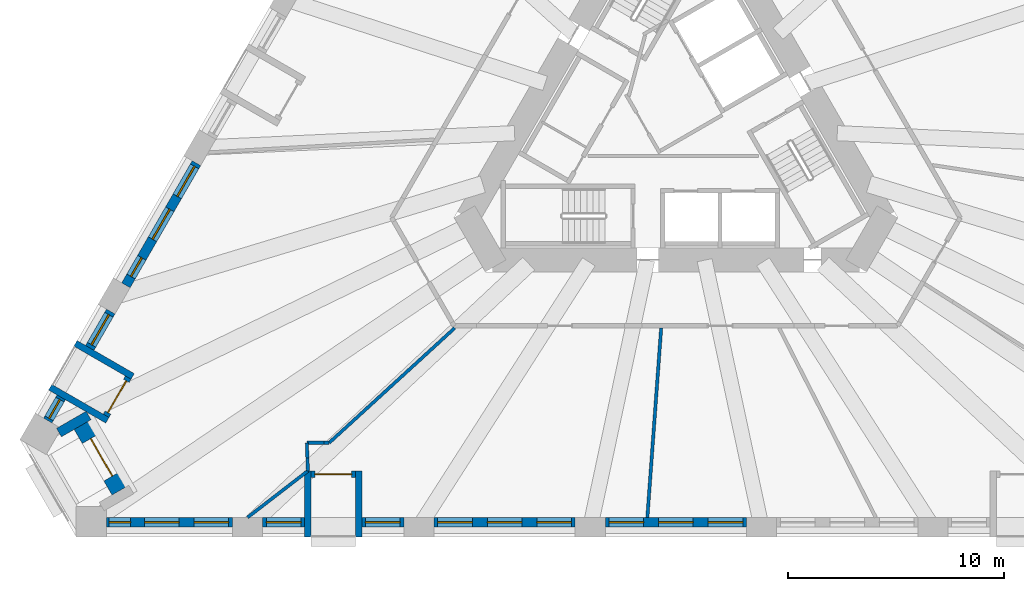
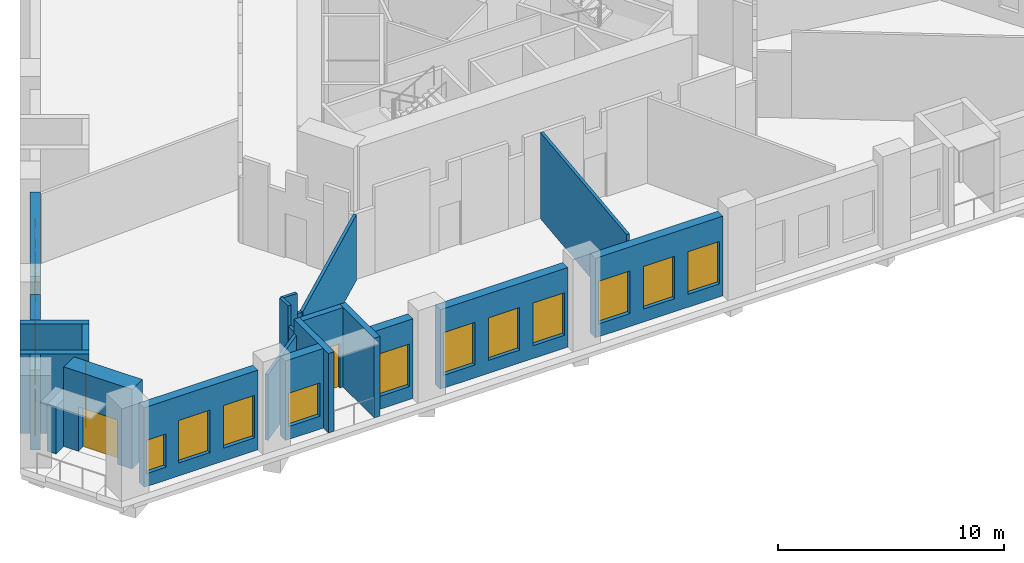
# One storey, part 2 of 12: 23 walls, 16 windows, 3 doors, 19 openings.
"""IFC4 building model written with IfcOpenShell, lengths in metres."""

from ifc_helpers import new_model, si_unit, direction, frame, frame_2d, origin, place, context, subcontext, project, spatial, rectangle, extrude, material, layer, layer_set, type_object, element, fill, save


model = new_model("IFC4")

# Units and contexts
model_context = context("Model", 3, precision=1e-05, world=origin(), true_north=direction((0.0, 1.0)))
body_context = subcontext(model_context, "Body", "Model", "MODEL_VIEW")
ifc_project = project(units=[si_unit("LENGTHUNIT", "METRE"), si_unit("AREAUNIT", "SQUARE_METRE"), si_unit("VOLUMEUNIT", "CUBIC_METRE"), si_unit("PLANEANGLEUNIT", "RADIAN"), si_unit("MASSUNIT", "GRAM", prefix="KILO")], contexts=[model_context])

# Site, building, storey
site_placement = place(None, origin())
site = spatial("IfcSite", under=ifc_project, at=site_placement, CompositionType="ELEMENT")
building_placement = place(site_placement, origin())
building = spatial("IfcBuilding", under=site, at=building_placement, Name="Tramontana Tower", CompositionType="ELEMENT")
storey_placement = place(building_placement, frame((0.0, 0.0, 25.0)))
storey = spatial("IfcBuildingStorey", under=building, at=storey_placement, Name="L04", CompositionType="ELEMENT", Elevation=25.0)

# Wall, openings, windows
ifc_material_1 = material(Name="Precast concrete 60 MPa", Category="concrete")
ifc_layer_1 = layer(ifc_material_1, 0.449951171875)
ifc_layer_set_1 = layer_set([ifc_layer_1], Name="Precast concrete 60 MPa, 450 mm")
wall_type_1 = type_object("IfcWallType", Name="EW1 Stone-faced precast wall 450", PredefinedType="SOLIDWALL", material=ifc_layer_set_1)
wall_1_placement = place(storey_placement, frame((-22.158447265625, -1.7294921875, 0.0), z_axis=(0.0, 0.0, 1.0), x_axis=(-0.499990498062, -0.866030889661, 0.0)))
wall_1 = element("IfcWall", 1, at=wall_1_placement, inside=storey, type_object=wall_type_1, Name="External wall L04 face 0 bay 6", PredefinedType="SOLIDWALL", context=body_context, shape_type="SweptSolid", body=[
    extrude(rectangle(XDim=6.517822265625, YDim=0.449951171875, at=frame_2d((3.2587890625, 0.0))), origin(), (0.0, 0.0, 1.0), 4.300048828125),
])
opening_1_placement = place(wall_1_placement, frame((0.169677734375, 0.0, 0.699951171875)))
opening_1 = element("IfcOpeningElement", 2, at=opening_1_placement, cuts=wall_1, Name="Opening M1", PredefinedType="OPENING", context=body_context, shape_type="SweptSolid", body=[
    extrude(rectangle(XDim=1.60009765625, YDim=2.300048828125, at=frame_2d((0.800048828125, 1.14990234375))), frame((0.0, 0.23486328125, 0.0), z_axis=(0.0, -1.0, 0.0), x_axis=(1.0, 0.0, 0.0)), (0.0, 0.0, 1.0), 0.469970703125),
])
opening_2_placement = place(wall_1_placement, frame((2.458984375, 0.0, 0.699951171875)))
opening_2 = element("IfcOpeningElement", 3, at=opening_2_placement, cuts=wall_1, Name="Opening M1", PredefinedType="OPENING", context=body_context, shape_type="SweptSolid", body=[
    extrude(rectangle(XDim=1.60009765625, YDim=2.300048828125, at=frame_2d((0.800048828125, 1.14990234375))), frame((0.0, 0.23486328125, 0.0), z_axis=(0.0, -1.0, 0.0), x_axis=(1.0, 0.0, 0.0)), (0.0, 0.0, 1.0), 0.469970703125),
])
opening_3_placement = place(wall_1_placement, frame((5.04833984375, 0.0, 0.699951171875)))
opening_3 = element("IfcOpeningElement", 4, at=opening_3_placement, cuts=wall_1, Name="Opening N1", PredefinedType="OPENING", context=body_context, shape_type="SweptSolid", body=[
    extrude(rectangle(XDim=1.0, YDim=2.300048828125, at=frame_2d((0.5, 1.14990234375))), frame((0.0, 0.23486328125, 0.0), z_axis=(0.0, -1.0, 0.0), x_axis=(1.0, 0.0, 0.0)), (0.0, 0.0, 1.0), 0.469970703125),
])
ifc_material_2 = material(Name="Aluminum frame, double glazing unit", Category="aluminium")
window_type_1 = type_object("IfcWindowType", Name="M1 Window 1.6 x 2.3", PartitioningType="SINGLE_PANEL", PredefinedType="WINDOW", material=ifc_material_2)
window_1_placement = place(opening_1_placement, origin())
window_1 = element("IfcWindow", 5, at=window_1_placement, inside=storey, type_object=window_type_1, Name="Window M1 L04 face 0 module 16", OverallHeight=2.300048828125, OverallWidth=1.60009765625, PartitioningType="SINGLE_PANEL", PredefinedType="WINDOW", context=body_context, shape_type="SweptSolid", body=[
    extrude(rectangle(XDim=1.60009765625, YDim=2.300048828125, at=frame_2d((0.800048828125, 1.14990234375))), frame((0.0, 0.030029296875, 0.0), z_axis=(0.0, -1.0, 0.0), x_axis=(1.0, 0.0, 0.0)), (0.0, 0.0, 1.0), 0.06005859375),
])
fill(opening_1, window_1)
window_2_placement = place(opening_2_placement, origin())
window_2 = element("IfcWindow", 6, at=window_2_placement, inside=storey, type_object=window_type_1, Name="Window M1 L04 face 0 module 17", OverallHeight=2.300048828125, OverallWidth=1.60009765625, PartitioningType="SINGLE_PANEL", PredefinedType="WINDOW", context=body_context, shape_type="SweptSolid", body=[
    extrude(rectangle(XDim=1.60009765625, YDim=2.300048828125, at=frame_2d((0.800048828125, 1.14990234375))), frame((0.0, 0.030029296875, 0.0), z_axis=(0.0, -1.0, 0.0), x_axis=(1.0, 0.0, 0.0)), (0.0, 0.0, 1.0), 0.06005859375),
])
fill(opening_2, window_2)
ifc_material_3 = material(Name="Aluminum frame, double glazing unit", Category="aluminium")
window_type_2 = type_object("IfcWindowType", Name="N1 Window 1 x 2.3", PartitioningType="SINGLE_PANEL", PredefinedType="WINDOW", material=ifc_material_3)
window_3_placement = place(opening_3_placement, origin())
window_3 = element("IfcWindow", 7, at=window_3_placement, inside=storey, type_object=window_type_2, Name="Window N1 L04 face 0 module 18", OverallHeight=2.300048828125, OverallWidth=1.0, PartitioningType="SINGLE_PANEL", PredefinedType="WINDOW", context=body_context, shape_type="SweptSolid", body=[
    extrude(rectangle(XDim=1.0, YDim=2.300048828125, at=frame_2d((0.5, 1.14990234375))), frame((0.0, 0.030029296875, 0.0), z_axis=(0.0, -1.0, 0.0), x_axis=(1.0, 0.0, 0.0)), (0.0, 0.0, 1.0), 0.06005859375),
])
fill(opening_3, window_3)

# Wall, opening, window
wall_2_placement = place(storey_placement, frame((-26.117431640625, -8.586669921875, 0.0), z_axis=(0.0, 0.0, 1.0), x_axis=(-0.499944052521, -0.866057702667, 0.0)))
wall_2 = element("IfcWall", 8, at=wall_2_placement, inside=storey, type_object=wall_type_1, Name="External wall L04 face 0 bay 7", PredefinedType="SOLIDWALL", context=body_context, shape_type="SweptSolid", body=[
    extrude(rectangle(XDim=1.939208984375, YDim=0.449951171875, at=frame_2d((0.9697265625, 0.0))), origin(), (0.0, 0.0, 1.0), 4.300048828125),
])
opening_4_placement = place(wall_2_placement, frame((0.169677734375, 0.0, 0.699951171875)))
opening_4 = element("IfcOpeningElement", 9, at=opening_4_placement, cuts=wall_2, Name="Opening M1", PredefinedType="OPENING", context=body_context, shape_type="SweptSolid", body=[
    extrude(rectangle(XDim=1.60009765625, YDim=2.300048828125, at=frame_2d((0.800048828125, 1.14990234375))), frame((0.0, 0.23486328125, 0.0), z_axis=(0.0, -1.0, 0.0), x_axis=(1.0, 0.0, 0.0)), (0.0, 0.0, 1.0), 0.469970703125),
])
window_4_placement = place(opening_4_placement, origin())
window_4 = element("IfcWindow", 10, at=window_4_placement, inside=storey, type_object=window_type_1, Name="Window M1 L04 face 0 module 19", OverallHeight=2.300048828125, OverallWidth=1.60009765625, PartitioningType="SINGLE_PANEL", PredefinedType="WINDOW", context=body_context, shape_type="SweptSolid", body=[
    extrude(rectangle(XDim=1.60009765625, YDim=2.300048828125, at=frame_2d((0.800048828125, 1.14990234375))), frame((0.0, 0.030029296875, 0.0), z_axis=(0.0, -1.0, 0.0), x_axis=(1.0, 0.0, 0.0)), (0.0, 0.0, 1.0), 0.06005859375),
])
fill(opening_4, window_4)

wall_3_placement = place(storey_placement, frame((-28.40673828125, -12.5517578125, 0.0), z_axis=(0.0, 0.0, 1.0), x_axis=(-0.499995303914, -0.866028115054, 0.0)))
wall_3 = element("IfcWall", 11, at=wall_3_placement, inside=storey, type_object=wall_type_1, Name="External wall L04 face 0 bay 7", PredefinedType="SOLIDWALL", context=body_context, shape_type="SweptSolid", body=[
    extrude(rectangle(XDim=1.2392578125, YDim=0.449951171875, at=frame_2d((0.61962890625, 0.0))), origin(), (0.0, 0.0, 1.0), 4.300048828125),
])
opening_5_placement = place(wall_3_placement, frame((0.11962890625, 0.0, 0.699951171875)))
opening_5 = element("IfcOpeningElement", 12, at=opening_5_placement, cuts=wall_3, Name="Opening N1L", PredefinedType="OPENING", context=body_context, shape_type="SweptSolid", body=[
    extrude(rectangle(XDim=1.0, YDim=1.800048828125, at=frame_2d((0.5, 0.89990234375))), frame((0.0, 0.23486328125, 0.0), z_axis=(0.0, -1.0, 0.0), x_axis=(1.0, 0.0, 0.0)), (0.0, 0.0, 1.0), 0.469970703125),
])
ifc_material_4 = material(Name="Aluminum frame, double glazing unit", Category="aluminium")
window_type_3 = type_object("IfcWindowType", Name="N1L Window 1 x 1.8", PartitioningType="SINGLE_PANEL", PredefinedType="WINDOW", material=ifc_material_4)
window_5_placement = place(opening_5_placement, origin())
window_5 = element("IfcWindow", 13, at=window_5_placement, inside=storey, type_object=window_type_3, Name="Window N1L L04 face 0 module 21", OverallHeight=1.800048828125, OverallWidth=1.0, PartitioningType="SINGLE_PANEL", PredefinedType="WINDOW", context=body_context, shape_type="SweptSolid", body=[
    extrude(rectangle(XDim=1.0, YDim=1.800048828125, at=frame_2d((0.5, 0.89990234375))), frame((0.0, 0.030029296875, 0.0), z_axis=(0.0, -1.0, 0.0), x_axis=(1.0, 0.0, 0.0)), (0.0, 0.0, 1.0), 0.06005859375),
])
fill(opening_5, window_5)

# Wall, openings, windows
wall_4_placement = place(storey_placement, frame((-26.312744140625, -18.324951171875, 0.0), z_axis=(0.0, 0.0, 1.0), x_axis=(1.0, 0.0, 0.0)))
wall_4 = element("IfcWall", 14, at=wall_4_placement, inside=storey, type_object=wall_type_1, Name="External wall L04 face 1 bay 1", PredefinedType="SOLIDWALL", context=body_context, shape_type="SweptSolid", body=[
    extrude(rectangle(XDim=5.81787109375, YDim=0.449951171875, at=frame_2d((2.908935546875, 0.0))), origin(), (0.0, 0.0, 1.0), 4.300048828125),
])
opening_6_placement = place(wall_4_placement, frame((0.11962890625, 0.0, 0.699951171875)))
opening_6 = element("IfcOpeningElement", 15, at=opening_6_placement, cuts=wall_4, Name="Opening N1L", PredefinedType="OPENING", context=body_context, shape_type="SweptSolid", body=[
    extrude(rectangle(XDim=1.0, YDim=1.800048828125, at=frame_2d((0.5, 0.89990234375))), frame((0.0, 0.23486328125, 0.0), z_axis=(0.0, -1.0, 0.0), x_axis=(1.0, 0.0, 0.0)), (0.0, 0.0, 1.0), 0.469970703125),
])
opening_7_placement = place(wall_4_placement, frame((1.759033203125, 0.0, 0.699951171875)))
opening_7 = element("IfcOpeningElement", 16, at=opening_7_placement, cuts=wall_4, Name="Opening M1", PredefinedType="OPENING", context=body_context, shape_type="SweptSolid", body=[
    extrude(rectangle(XDim=1.60009765625, YDim=2.300048828125, at=frame_2d((0.800048828125, 1.14990234375))), frame((0.0, 0.23486328125, 0.0), z_axis=(0.0, -1.0, 0.0), x_axis=(1.0, 0.0, 0.0)), (0.0, 0.0, 1.0), 0.469970703125),
])
opening_8_placement = place(wall_4_placement, frame((4.04833984375, 0.0, 0.699951171875)))
opening_8 = element("IfcOpeningElement", 17, at=opening_8_placement, cuts=wall_4, Name="Opening M1", PredefinedType="OPENING", context=body_context, shape_type="SweptSolid", body=[
    extrude(rectangle(XDim=1.60009765625, YDim=2.300048828125, at=frame_2d((0.800048828125, 1.14990234375))), frame((0.0, 0.23486328125, 0.0), z_axis=(0.0, -1.0, 0.0), x_axis=(1.0, 0.0, 0.0)), (0.0, 0.0, 1.0), 0.469970703125),
])
window_6_placement = place(opening_7_placement, origin())
window_6 = element("IfcWindow", 18, at=window_6_placement, inside=storey, type_object=window_type_1, Name="Window M1 L04 face 1 module 2", OverallHeight=2.300048828125, OverallWidth=1.60009765625, PartitioningType="SINGLE_PANEL", PredefinedType="WINDOW", context=body_context, shape_type="SweptSolid", body=[
    extrude(rectangle(XDim=1.60009765625, YDim=2.300048828125, at=frame_2d((0.800048828125, 1.14990234375))), frame((0.0, 0.030029296875, 0.0), z_axis=(0.0, -1.0, 0.0), x_axis=(1.0, 0.0, 0.0)), (0.0, 0.0, 1.0), 0.06005859375),
])
fill(opening_7, window_6)
window_7_placement = place(opening_8_placement, origin())
window_7 = element("IfcWindow", 19, at=window_7_placement, inside=storey, type_object=window_type_1, Name="Window M1 L04 face 1 module 3", OverallHeight=2.300048828125, OverallWidth=1.60009765625, PartitioningType="SINGLE_PANEL", PredefinedType="WINDOW", context=body_context, shape_type="SweptSolid", body=[
    extrude(rectangle(XDim=1.60009765625, YDim=2.300048828125, at=frame_2d((0.800048828125, 1.14990234375))), frame((0.0, 0.030029296875, 0.0), z_axis=(0.0, -1.0, 0.0), x_axis=(1.0, 0.0, 0.0)), (0.0, 0.0, 1.0), 0.06005859375),
])
fill(opening_8, window_7)
window_8_placement = place(opening_6_placement, origin())
window_8 = element("IfcWindow", 20, at=window_8_placement, inside=storey, type_object=window_type_3, Name="Window N1L L04 face 1 module 1", OverallHeight=1.800048828125, OverallWidth=1.0, PartitioningType="SINGLE_PANEL", PredefinedType="WINDOW", context=body_context, shape_type="SweptSolid", body=[
    extrude(rectangle(XDim=1.0, YDim=1.800048828125, at=frame_2d((0.5, 0.89990234375))), frame((0.0, 0.030029296875, 0.0), z_axis=(0.0, -1.0, 0.0), x_axis=(1.0, 0.0, 0.0)), (0.0, 0.0, 1.0), 0.06005859375),
])
fill(opening_6, window_8)

# Wall, opening, window
wall_5_placement = place(storey_placement, frame((-19.094970703125, -18.324951171875, 0.0), z_axis=(0.0, 0.0, 1.0), x_axis=(1.0, 0.0, 0.0)))
wall_5 = element("IfcWall", 21, at=wall_5_placement, inside=storey, type_object=wall_type_1, Name="External wall L04 face 1 bay 2", PredefinedType="SOLIDWALL", context=body_context, shape_type="SweptSolid", body=[
    extrude(rectangle(XDim=1.939453125, YDim=0.449951171875, at=frame_2d((0.9697265625, 0.0))), origin(), (0.0, 0.0, 1.0), 4.300048828125),
])
opening_9_placement = place(wall_5_placement, frame((0.169677734375, 0.0, 0.699951171875)))
opening_9 = element("IfcOpeningElement", 22, at=opening_9_placement, cuts=wall_5, Name="Opening M1L", PredefinedType="OPENING", context=body_context, shape_type="SweptSolid", body=[
    extrude(rectangle(XDim=1.60009765625, YDim=1.800048828125, at=frame_2d((0.800048828125, 0.89990234375))), frame((0.0, 0.23486328125, 0.0), z_axis=(0.0, -1.0, 0.0), x_axis=(1.0, 0.0, 0.0)), (0.0, 0.0, 1.0), 0.469970703125),
])
ifc_material_5 = material(Name="Aluminum frame, double glazing unit", Category="aluminium")
window_type_4 = type_object("IfcWindowType", Name="M1L Window 1.6 x 1.8", PartitioningType="SINGLE_PANEL", PredefinedType="WINDOW", material=ifc_material_5)
window_9_placement = place(opening_9_placement, origin())
window_9 = element("IfcWindow", 23, at=window_9_placement, inside=storey, type_object=window_type_4, Name="Window M1L L04 face 1 module 4", OverallHeight=1.800048828125, OverallWidth=1.60009765625, PartitioningType="SINGLE_PANEL", PredefinedType="WINDOW", context=body_context, shape_type="SweptSolid", body=[
    extrude(rectangle(XDim=1.60009765625, YDim=1.800048828125, at=frame_2d((0.800048828125, 0.89990234375))), frame((0.0, 0.030029296875, 0.0), z_axis=(0.0, -1.0, 0.0), x_axis=(1.0, 0.0, 0.0)), (0.0, 0.0, 1.0), 0.06005859375),
])
fill(opening_9, window_9)

wall_6_placement = place(storey_placement, frame((-14.51611328125, -18.324951171875, 0.0), z_axis=(0.0, 0.0, 1.0), x_axis=(1.0, 0.0, 0.0)))
wall_6 = element("IfcWall", 24, at=wall_6_placement, inside=storey, type_object=wall_type_1, Name="External wall L04 face 1 bay 2", PredefinedType="SOLIDWALL", context=body_context, shape_type="SweptSolid", body=[
    extrude(rectangle(XDim=1.939208984375, YDim=0.449951171875, at=frame_2d((0.9697265625, 0.0))), origin(), (0.0, 0.0, 1.0), 4.300048828125),
])
opening_10_placement = place(wall_6_placement, frame((0.169677734375, 0.0, 0.699951171875)))
opening_10 = element("IfcOpeningElement", 25, at=opening_10_placement, cuts=wall_6, Name="Opening M1", PredefinedType="OPENING", context=body_context, shape_type="SweptSolid", body=[
    extrude(rectangle(XDim=1.60009765625, YDim=2.300048828125, at=frame_2d((0.800048828125, 1.14990234375))), frame((0.0, 0.23486328125, 0.0), z_axis=(0.0, -1.0, 0.0), x_axis=(1.0, 0.0, 0.0)), (0.0, 0.0, 1.0), 0.469970703125),
])
window_10_placement = place(opening_10_placement, origin())
window_10 = element("IfcWindow", 26, at=window_10_placement, inside=storey, type_object=window_type_1, Name="Window M1 L04 face 1 module 6", OverallHeight=2.300048828125, OverallWidth=1.60009765625, PartitioningType="SINGLE_PANEL", PredefinedType="WINDOW", context=body_context, shape_type="SweptSolid", body=[
    extrude(rectangle(XDim=1.60009765625, YDim=2.300048828125, at=frame_2d((0.800048828125, 1.14990234375))), frame((0.0, 0.030029296875, 0.0), z_axis=(0.0, -1.0, 0.0), x_axis=(1.0, 0.0, 0.0)), (0.0, 0.0, 1.0), 0.06005859375),
])
fill(opening_10, window_10)

# Wall, openings, windows
wall_7_placement = place(storey_placement, frame((-11.177001953125, -18.324951171875, 0.0), z_axis=(0.0, 0.0, 1.0), x_axis=(1.0, 0.0, 0.0)))
wall_7 = element("IfcWall", 27, at=wall_7_placement, inside=storey, type_object=wall_type_1, Name="External wall L04 face 1 bay 3", PredefinedType="SOLIDWALL", context=body_context, shape_type="SweptSolid", body=[
    extrude(rectangle(XDim=6.51806640625, YDim=0.449951171875, at=frame_2d((3.259033203125, 0.0))), origin(), (0.0, 0.0, 1.0), 4.300048828125),
])
opening_11_placement = place(wall_7_placement, frame((0.169677734375, 0.0, 0.699951171875)))
opening_11 = element("IfcOpeningElement", 28, at=opening_11_placement, cuts=wall_7, Name="Opening M1", PredefinedType="OPENING", context=body_context, shape_type="SweptSolid", body=[
    extrude(rectangle(XDim=1.60009765625, YDim=2.300048828125, at=frame_2d((0.800048828125, 1.14990234375))), frame((0.0, 0.23486328125, 0.0), z_axis=(0.0, -1.0, 0.0), x_axis=(1.0, 0.0, 0.0)), (0.0, 0.0, 1.0), 0.469970703125),
])
opening_12_placement = place(wall_7_placement, frame((2.458984375, 0.0, 0.699951171875)))
opening_12 = element("IfcOpeningElement", 29, at=opening_12_placement, cuts=wall_7, Name="Opening M1", PredefinedType="OPENING", context=body_context, shape_type="SweptSolid", body=[
    extrude(rectangle(XDim=1.60009765625, YDim=2.300048828125, at=frame_2d((0.800048828125, 1.14990234375))), frame((0.0, 0.23486328125, 0.0), z_axis=(0.0, -1.0, 0.0), x_axis=(1.0, 0.0, 0.0)), (0.0, 0.0, 1.0), 0.469970703125),
])
opening_13_placement = place(wall_7_placement, frame((4.748291015625, 0.0, 0.699951171875)))
opening_13 = element("IfcOpeningElement", 30, at=opening_13_placement, cuts=wall_7, Name="Opening M1", PredefinedType="OPENING", context=body_context, shape_type="SweptSolid", body=[
    extrude(rectangle(XDim=1.60009765625, YDim=2.300048828125, at=frame_2d((0.800048828125, 1.14990234375))), frame((0.0, 0.23486328125, 0.0), z_axis=(0.0, -1.0, 0.0), x_axis=(1.0, 0.0, 0.0)), (0.0, 0.0, 1.0), 0.469970703125),
])
window_11_placement = place(opening_11_placement, origin())
window_11 = element("IfcWindow", 31, at=window_11_placement, inside=storey, type_object=window_type_1, Name="Window M1 L04 face 1 module 7", OverallHeight=2.300048828125, OverallWidth=1.60009765625, PartitioningType="SINGLE_PANEL", PredefinedType="WINDOW", context=body_context, shape_type="SweptSolid", body=[
    extrude(rectangle(XDim=1.60009765625, YDim=2.300048828125, at=frame_2d((0.800048828125, 1.14990234375))), frame((0.0, 0.030029296875, 0.0), z_axis=(0.0, -1.0, 0.0), x_axis=(1.0, 0.0, 0.0)), (0.0, 0.0, 1.0), 0.06005859375),
])
fill(opening_11, window_11)
window_12_placement = place(opening_12_placement, origin())
window_12 = element("IfcWindow", 32, at=window_12_placement, inside=storey, type_object=window_type_1, Name="Window M1 L04 face 1 module 8", OverallHeight=2.300048828125, OverallWidth=1.60009765625, PartitioningType="SINGLE_PANEL", PredefinedType="WINDOW", context=body_context, shape_type="SweptSolid", body=[
    extrude(rectangle(XDim=1.60009765625, YDim=2.300048828125, at=frame_2d((0.800048828125, 1.14990234375))), frame((0.0, 0.030029296875, 0.0), z_axis=(0.0, -1.0, 0.0), x_axis=(1.0, 0.0, 0.0)), (0.0, 0.0, 1.0), 0.06005859375),
])
fill(opening_12, window_12)
window_13_placement = place(opening_13_placement, origin())
window_13 = element("IfcWindow", 33, at=window_13_placement, inside=storey, type_object=window_type_1, Name="Window M1 L04 face 1 module 9", OverallHeight=2.300048828125, OverallWidth=1.60009765625, PartitioningType="SINGLE_PANEL", PredefinedType="WINDOW", context=body_context, shape_type="SweptSolid", body=[
    extrude(rectangle(XDim=1.60009765625, YDim=2.300048828125, at=frame_2d((0.800048828125, 1.14990234375))), frame((0.0, 0.030029296875, 0.0), z_axis=(0.0, -1.0, 0.0), x_axis=(1.0, 0.0, 0.0)), (0.0, 0.0, 1.0), 0.06005859375),
])
fill(opening_13, window_13)

wall_8_placement = place(storey_placement, frame((-3.259033203125, -18.324951171875, 0.0), z_axis=(0.0, 0.0, 1.0), x_axis=(1.0, 0.0, 0.0)))
wall_8 = element("IfcWall", 34, at=wall_8_placement, inside=storey, type_object=wall_type_1, Name="External wall L04 face 1 bay 4", PredefinedType="SOLIDWALL", context=body_context, shape_type="SweptSolid", body=[
    extrude(rectangle(XDim=6.51806640625, YDim=0.449951171875, at=frame_2d((3.259033203125, 0.0))), origin(), (0.0, 0.0, 1.0), 4.300048828125),
])
opening_14_placement = place(wall_8_placement, frame((0.169677734375, 0.0, 0.699951171875)))
opening_14 = element("IfcOpeningElement", 35, at=opening_14_placement, cuts=wall_8, Name="Opening M1", PredefinedType="OPENING", context=body_context, shape_type="SweptSolid", body=[
    extrude(rectangle(XDim=1.60009765625, YDim=2.300048828125, at=frame_2d((0.800048828125, 1.14990234375))), frame((0.0, 0.23486328125, 0.0), z_axis=(0.0, -1.0, 0.0), x_axis=(1.0, 0.0, 0.0)), (0.0, 0.0, 1.0), 0.469970703125),
])
opening_15_placement = place(wall_8_placement, frame((2.458984375, 0.0, 0.699951171875)))
opening_15 = element("IfcOpeningElement", 36, at=opening_15_placement, cuts=wall_8, Name="Opening M1", PredefinedType="OPENING", context=body_context, shape_type="SweptSolid", body=[
    extrude(rectangle(XDim=1.60009765625, YDim=2.300048828125, at=frame_2d((0.800048828125, 1.14990234375))), frame((0.0, 0.23486328125, 0.0), z_axis=(0.0, -1.0, 0.0), x_axis=(1.0, 0.0, 0.0)), (0.0, 0.0, 1.0), 0.469970703125),
])
opening_16_placement = place(wall_8_placement, frame((4.748291015625, 0.0, 0.699951171875)))
opening_16 = element("IfcOpeningElement", 37, at=opening_16_placement, cuts=wall_8, Name="Opening M1", PredefinedType="OPENING", context=body_context, shape_type="SweptSolid", body=[
    extrude(rectangle(XDim=1.60009765625, YDim=2.300048828125, at=frame_2d((0.800048828125, 1.14990234375))), frame((0.0, 0.23486328125, 0.0), z_axis=(0.0, -1.0, 0.0), x_axis=(1.0, 0.0, 0.0)), (0.0, 0.0, 1.0), 0.469970703125),
])
window_14_placement = place(opening_14_placement, origin())
window_14 = element("IfcWindow", 38, at=window_14_placement, inside=storey, type_object=window_type_1, Name="Window M1 L04 face 1 module 10", OverallHeight=2.300048828125, OverallWidth=1.60009765625, PartitioningType="SINGLE_PANEL", PredefinedType="WINDOW", context=body_context, shape_type="SweptSolid", body=[
    extrude(rectangle(XDim=1.60009765625, YDim=2.300048828125, at=frame_2d((0.800048828125, 1.14990234375))), frame((0.0, 0.030029296875, 0.0), z_axis=(0.0, -1.0, 0.0), x_axis=(1.0, 0.0, 0.0)), (0.0, 0.0, 1.0), 0.06005859375),
])
fill(opening_14, window_14)
window_15_placement = place(opening_15_placement, origin())
window_15 = element("IfcWindow", 39, at=window_15_placement, inside=storey, type_object=window_type_1, Name="Window M1 L04 face 1 module 11", OverallHeight=2.300048828125, OverallWidth=1.60009765625, PartitioningType="SINGLE_PANEL", PredefinedType="WINDOW", context=body_context, shape_type="SweptSolid", body=[
    extrude(rectangle(XDim=1.60009765625, YDim=2.300048828125, at=frame_2d((0.800048828125, 1.14990234375))), frame((0.0, 0.030029296875, 0.0), z_axis=(0.0, -1.0, 0.0), x_axis=(1.0, 0.0, 0.0)), (0.0, 0.0, 1.0), 0.06005859375),
])
fill(opening_15, window_15)
window_16_placement = place(opening_16_placement, origin())
window_16 = element("IfcWindow", 40, at=window_16_placement, inside=storey, type_object=window_type_1, Name="Window M1 L04 face 1 module 12", OverallHeight=2.300048828125, OverallWidth=1.60009765625, PartitioningType="SINGLE_PANEL", PredefinedType="WINDOW", context=body_context, shape_type="SweptSolid", body=[
    extrude(rectangle(XDim=1.60009765625, YDim=2.300048828125, at=frame_2d((0.800048828125, 1.14990234375))), frame((0.0, 0.030029296875, 0.0), z_axis=(0.0, -1.0, 0.0), x_axis=(1.0, 0.0, 0.0)), (0.0, 0.0, 1.0), 0.06005859375),
])
fill(opening_16, window_16)

# Wall
wall_9_placement = place(storey_placement, frame((-28.509033203125, -14.17919921875, 0.0), z_axis=(0.0, 0.0, 1.0), x_axis=(0.866046570609, 0.499963336192, 0.0)))
element("IfcWall", 41, at=wall_9_placement, inside=storey, type_object=wall_type_1, Name="Corner loggia side wall L04 K01r", PredefinedType="SOLIDWALL", context=body_context, shape_type="SweptSolid", body=[
    extrude(rectangle(XDim=1.5791015625, YDim=0.449951171875, at=frame_2d((0.78955078125, 0.0))), origin(), (0.0, 0.0, 1.0), 2.550048828125),
])

# Wall, opening, door
ifc_material_6 = material(Name="Precast concrete 60 MPa", Category="concrete")
ifc_layer_2 = layer(ifc_material_6, 0.89990234375)
ifc_layer_set_2 = layer_set([ifc_layer_2], Name="EW2 Stone-faced corner loggia wall 900")
wall_type_2 = type_object("IfcWallType", Name="EW2 Stone-faced corner loggia wall 900", PredefinedType="SOLIDWALL", material=ifc_layer_set_2)
wall_10_placement = place(storey_placement, frame((-25.668701171875, -16.840576171875, 0.0), z_axis=(0.0, 0.0, 1.0), x_axis=(-0.500010275428, 0.866019471182, 0.0)))
wall_10 = element("IfcWall", 42, at=wall_10_placement, inside=storey, type_object=wall_type_2, Name="Corner loggia wall L04 K01", PredefinedType="SOLIDWALL", context=body_context, shape_type="SweptSolid", body=[
    extrude(rectangle(XDim=3.5, YDim=0.89990234375, at=frame_2d((1.75, 0.0))), origin(), (0.0, 0.0, 1.0), 4.300048828125),
])
opening_17_placement = place(wall_10_placement, frame((0.75, 0.0, 0.0)))
opening_17 = element("IfcOpeningElement", 43, at=opening_17_placement, cuts=wall_10, Name="Opening BD-01C", PredefinedType="OPENING", context=body_context, shape_type="SweptSolid", body=[
    extrude(rectangle(XDim=2.0, YDim=2.39990234375, at=frame_2d((1.0, 1.199951171875))), frame((0.0, 0.4599609375, 0.0), z_axis=(0.0, -1.0, 0.0), x_axis=(1.0, 0.0, 0.0)), (0.0, 0.0, 1.0), 0.919921875),
])
ifc_material_7 = material(Name="Aluminum frame, double glazing unit", Category="aluminium")
door_type_1 = type_object("IfcDoorType", Name="BC1 Sliding door 2 x 2.4", OperationType="SLIDING_TO_LEFT", PredefinedType="DOOR", material=ifc_material_7)
door_1_placement = place(opening_17_placement, origin())
door_1 = element("IfcDoor", 44, at=door_1_placement, inside=storey, type_object=door_type_1, Name="Corner loggia door L04 K01", OperationType="SLIDING_TO_LEFT", OverallHeight=2.39990234375, OverallWidth=2.0, PredefinedType="DOOR", context=body_context, shape_type="SweptSolid", body=[
    extrude(rectangle(XDim=2.0, YDim=2.39990234375, at=frame_2d((1.0, 1.199951171875))), frame((0.0, 0.02490234375, 0.0), z_axis=(0.0, -1.0, 0.0), x_axis=(1.0, 0.0, 0.0)), (0.0, 0.0, 1.0), 0.050048828125),
])
fill(opening_17, door_1)

ifc_material_8 = material(Name="Precast concrete 60 MPa", Category="concrete")
ifc_layer_3 = layer(ifc_material_8, 0.300048828125)
ifc_layer_set_3 = layer_set([ifc_layer_3], Name="LW1 Stone-faced loggia wall 300")
wall_type_3 = type_object("IfcWallType", Name="LW1 Stone-faced loggia wall 300", PredefinedType="SOLIDWALL", material=ifc_layer_set_3)
wall_11_placement = place(storey_placement, frame((-25.31005859375, -11.638427734375, 0.0), z_axis=(0.0, 0.0, 1.0), x_axis=(-0.500040236659, -0.866002171892, 0.0)))
wall_11 = element("IfcWall", 45, at=wall_11_placement, inside=storey, type_object=wall_type_3, Name="Loggia wall L04 G0S0.19", PredefinedType="SOLIDWALL", context=body_context, shape_type="SweptSolid", body=[
    extrude(rectangle(XDim=2.039306640625, YDim=0.300048828125, at=frame_2d((1.01953125, 0.0))), origin(), (0.0, 0.0, 1.0), 4.300048828125),
])
opening_18_placement = place(wall_11_placement, frame((0.169677734375, 0.0, 0.0)))
opening_18 = element("IfcOpeningElement", 46, at=opening_18_placement, cuts=wall_11, Name="Opening BD-0S0-19", PredefinedType="OPENING", context=body_context, shape_type="SweptSolid", body=[
    extrude(rectangle(XDim=1.699951171875, YDim=2.39990234375, at=frame_2d((0.85009765625, 1.199951171875))), frame((0.0, 0.159912109375, 0.0), z_axis=(0.0, -1.0, 0.0), x_axis=(1.0, 0.0, 0.0)), (0.0, 0.0, 1.0), 0.320068359375),
])
ifc_material_9 = material(Name="Aluminum frame, double glazing unit", Category="aluminium")
door_type_2 = type_object("IfcDoorType", Name="BD1 Sliding door 1.7 x 2.4", OperationType="SLIDING_TO_LEFT", PredefinedType="DOOR", material=ifc_material_9)
door_2_placement = place(opening_18_placement, origin())
door_2 = element("IfcDoor", 47, at=door_2_placement, inside=storey, type_object=door_type_2, Name="Loggia door L04 G0S0.19", OperationType="SLIDING_TO_LEFT", OverallHeight=2.39990234375, OverallWidth=1.699951171875, PredefinedType="DOOR", context=body_context, shape_type="SweptSolid", body=[
    extrude(rectangle(XDim=1.699951171875, YDim=2.39990234375, at=frame_2d((0.85009765625, 1.199951171875))), frame((0.0, 0.02490234375, 0.0), z_axis=(0.0, -1.0, 0.0), x_axis=(1.0, 0.0, 0.0)), (0.0, 0.0, 1.0), 0.050048828125),
])
fill(opening_18, door_2)

# Walls
for number, where, z_axis, x_axis, name in (
    (48, (-27.74658203125, -10.05859375, 0.0), (0.0, 0.0, 1.0), (0.866037623948, -0.499978833458, 0.0), "Loggia return L04 G0S0.19a"),
    (49, (-28.916259765625, -12.08447265625, 0.0), (0.0, 0.0, 1.0), (0.866037623948, -0.499978833458, 0.0), "Loggia return L04 G0S0.19b"),
):
    element("IfcWall", number, at=place(storey_placement, frame(where, z_axis=z_axis, x_axis=x_axis)), inside=storey, type_object=wall_type_3, Name=name, PredefinedType="SOLIDWALL", context=body_context, shape_type="SweptSolid", body=[
        extrude(rectangle(XDim=3.050048828125, YDim=0.300048828125, at=frame_2d((1.52490234375, 0.0))), origin(), (0.0, 0.0, 1.0), 4.300048828125),
    ])

# Wall, opening, door
wall_12_placement = place(storey_placement, frame((-16.85546875, -16.10009765625, 0.0), z_axis=(0.0, 0.0, 1.0), x_axis=(1.0, 0.0, 0.0)))
wall_12 = element("IfcWall", 50, at=wall_12_placement, inside=storey, type_object=wall_type_3, Name="Loggia wall L04 G0S1.4", PredefinedType="SOLIDWALL", context=body_context, shape_type="SweptSolid", body=[
    extrude(rectangle(XDim=2.039306640625, YDim=0.300048828125, at=frame_2d((1.01953125, 0.0))), origin(), (0.0, 0.0, 1.0), 4.300048828125),
])
opening_19_placement = place(wall_12_placement, frame((0.169677734375, 0.0, 0.0)))
opening_19 = element("IfcOpeningElement", 51, at=opening_19_placement, cuts=wall_12, Name="Opening BD-0S1-04", PredefinedType="OPENING", context=body_context, shape_type="SweptSolid", body=[
    extrude(rectangle(XDim=1.699951171875, YDim=2.39990234375, at=frame_2d((0.85009765625, 1.199951171875))), frame((0.0, 0.159912109375, 0.0), z_axis=(0.0, -1.0, 0.0), x_axis=(1.0, 0.0, 0.0)), (0.0, 0.0, 1.0), 0.320068359375),
])
door_3_placement = place(opening_19_placement, origin())
door_3 = element("IfcDoor", 52, at=door_3_placement, inside=storey, type_object=door_type_2, Name="Loggia door L04 G0S1.4", OperationType="SLIDING_TO_LEFT", OverallHeight=2.39990234375, OverallWidth=1.699951171875, PredefinedType="DOOR", context=body_context, shape_type="SweptSolid", body=[
    extrude(rectangle(XDim=1.699951171875, YDim=2.39990234375, at=frame_2d((0.85009765625, 1.199951171875))), frame((0.0, 0.02490234375, 0.0), z_axis=(0.0, -1.0, 0.0), x_axis=(1.0, 0.0, 0.0)), (0.0, 0.0, 1.0), 0.050048828125),
])
fill(opening_19, door_3)

# Walls
for number, where, z_axis, x_axis, name in (
    (53, (-17.005615234375, -19.0, 0.0), (0.0, 0.0, 1.0), (0.0, 1.0, 0.0), "Loggia return L04 G0S1.4a"),
    (54, (-14.666259765625, -19.0, 0.0), (0.0, 0.0, 1.0), (0.0, 1.0, 0.0), "Loggia return L04 G0S1.4b"),
):
    element("IfcWall", number, at=place(storey_placement, frame(where, z_axis=z_axis, x_axis=x_axis)), inside=storey, type_object=wall_type_3, Name=name, PredefinedType="SOLIDWALL", context=body_context, shape_type="SweptSolid", body=[
        extrude(rectangle(XDim=3.050048828125, YDim=0.300048828125, at=frame_2d((1.52490234375, 0.0))), origin(), (0.0, 0.0, 1.0), 4.300048828125),
    ])
ifc_material_10 = material(Name="Gypsum board partition")
ifc_layer_4 = layer(ifc_material_10, 0.14990234375)
ifc_layer_set_4 = layer_set([ifc_layer_4], Name="PARTITION 150")
wall_type_4 = type_object("IfcWallType", Name="PARTITION 150", PredefinedType="PARTITIONING", material=ifc_layer_set_4)
wall_13_placement = place(storey_placement, frame((-17.0556640625, -14.65185546875, 0.0), z_axis=(0.0, 0.0, 1.0), x_axis=(0.038353502747, -0.999264233738, 0.0)))
element("IfcWall", 55, at=wall_13_placement, inside=storey, type_object=wall_type_4, Name="Wall fw-pw00-0", PredefinedType="PARTITIONING", context=body_context, shape_type="SweptSolid", body=[
    extrude(rectangle(XDim=0.70654296875, YDim=0.14990234375, at=frame_2d((0.353271484375, 0.0))), origin(), (0.0, 0.0, 1.0), 4.64990234375),
])
wall_14_placement = place(storey_placement, frame((-17.028564453125, -15.35791015625, 0.0), z_axis=(0.0, 0.0, 1.0), x_axis=(0.038733797567, -0.999249564887, 0.0)))
element("IfcWall", 56, at=wall_14_placement, inside=storey, type_object=wall_type_4, Name="Wall fw-pw00-1", PredefinedType="PARTITIONING", context=body_context, shape_type="SweptSolid", body=[
    extrude(rectangle(XDim=0.592529296875, YDim=0.14990234375, at=frame_2d((0.29638671875, 0.0))), origin(), (0.0, 0.0, 1.0), 3.550048828125),
])
wall_15_placement = place(storey_placement, frame((-17.005615234375, -15.949951171875, 0.0), z_axis=(0.0, 0.0, 1.0), x_axis=(-0.792036035223, -0.610474339271, 0.0)))
element("IfcWall", 57, at=wall_15_placement, inside=storey, type_object=wall_type_4, Name="Wall fw-pw01-0", PredefinedType="PARTITIONING", context=body_context, shape_type="SweptSolid", body=[
    extrude(rectangle(XDim=3.521728515625, YDim=0.14990234375, at=frame_2d((1.7607421875, 0.0))), origin(), (0.0, 0.0, 1.0), 3.550048828125),
])
wall_16_placement = place(storey_placement, frame((-16.021728515625, -14.64990234375, 0.0), z_axis=(0.0, 0.0, 1.0), x_axis=(-1.0, 0.0, 0.0)))
element("IfcWall", 58, at=wall_16_placement, inside=storey, type_object=wall_type_4, Name="Wall fw-pw02-0", PredefinedType="PARTITIONING", context=body_context, shape_type="SweptSolid", body=[
    extrude(rectangle(XDim=0.2509765625, YDim=0.14990234375, at=frame_2d((0.12548828125, 0.0))), origin(), (0.0, 0.0, 1.0), 3.550048828125),
])
wall_17_placement = place(storey_placement, frame((-16.272705078125, -14.64990234375, 0.0), z_axis=(0.0, 0.0, 1.0), x_axis=(-1.0, 0.0, 0.0)))
element("IfcWall", 59, at=wall_17_placement, inside=storey, type_object=wall_type_4, Name="Wall fw-pw02-1", PredefinedType="PARTITIONING", context=body_context, shape_type="SweptSolid", body=[
    extrude(rectangle(XDim=0.781005859375, YDim=0.14990234375, at=frame_2d((0.390625, 0.0))), origin(), (0.0, 0.0, 1.0), 4.64990234375),
])
wall_18_placement = place(storey_placement, frame((-10.2255859375, -9.35009765625, 0.0), z_axis=(0.0, 0.0, 1.0), x_axis=(-0.738000060557, -0.674800645093, 0.0)))
element("IfcWall", 60, at=wall_18_placement, inside=storey, type_object=wall_type_4, Name="Wall fw-pw04-0", PredefinedType="PARTITIONING", context=body_context, shape_type="SweptSolid", body=[
    extrude(rectangle(XDim=7.853515625, YDim=0.14990234375, at=frame_2d((3.9267578125, 0.0))), origin(), (0.0, 0.0, 1.0), 3.550048828125),
])
wall_19_placement = place(storey_placement, frame((-0.681640625, -9.35009765625, 0.0), z_axis=(0.0, 0.0, 1.0), x_axis=(-0.072716384367, -0.997352659517, 0.0)))
element("IfcWall", 61, at=wall_19_placement, inside=storey, type_object=wall_type_4, Name="Wall fw-pw06", PredefinedType="PARTITIONING", context=body_context, shape_type="SweptSolid", body=[
    extrude(rectangle(XDim=8.77294921875, YDim=0.14990234375, at=frame_2d((4.386474609375, 0.0))), origin(), (0.0, 0.0, 1.0), 4.64990234375),
])

save(model, "model.ifc")
